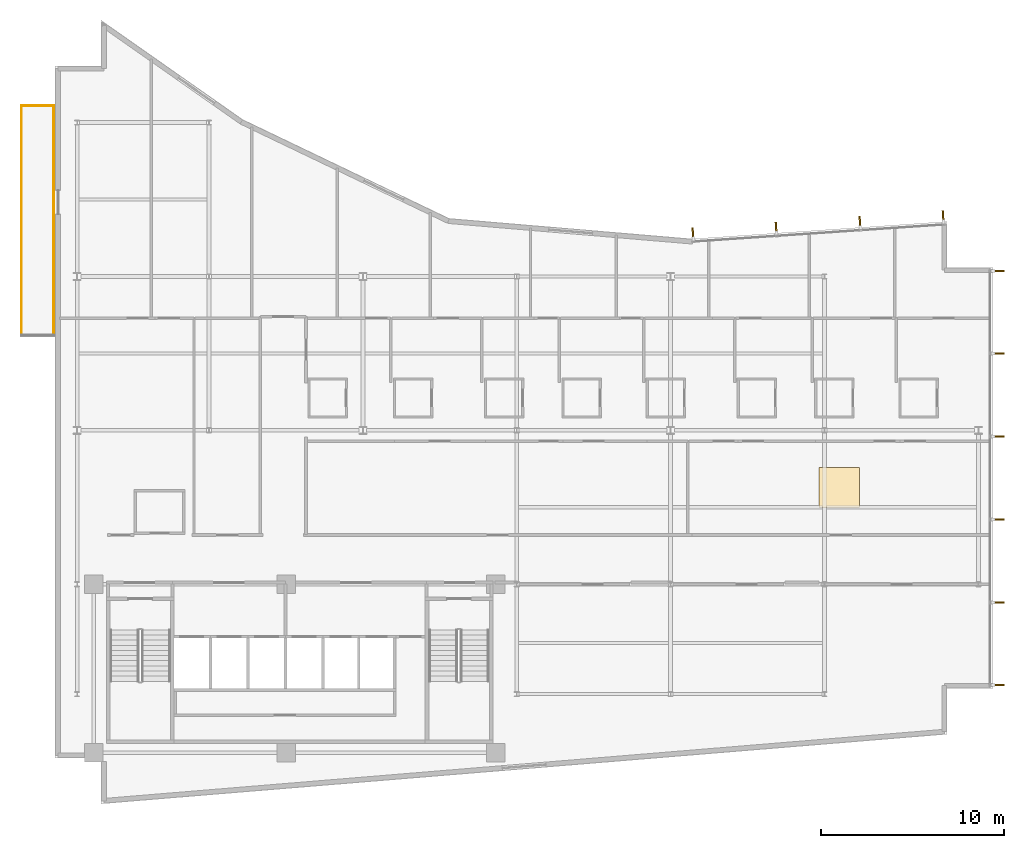
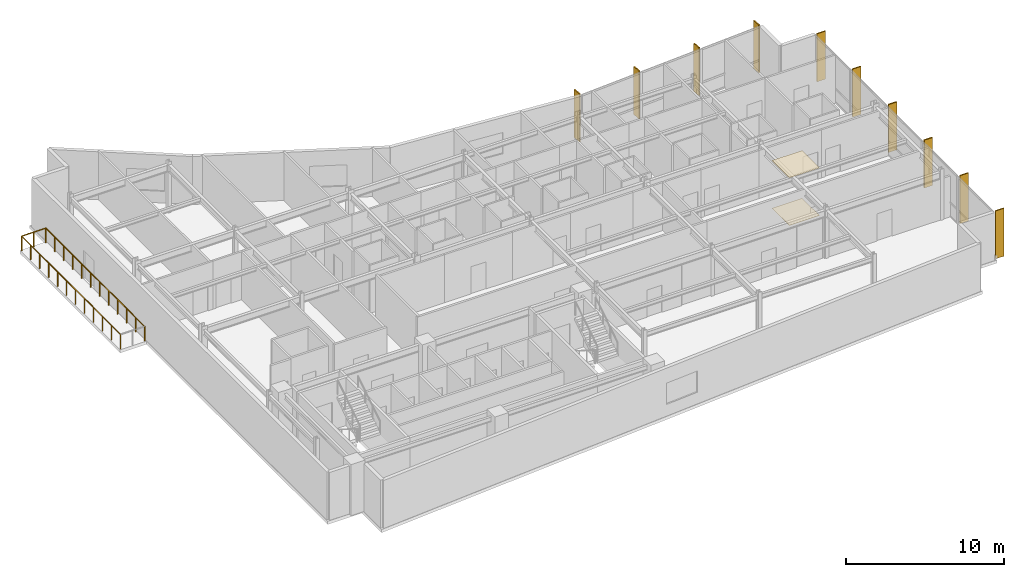
# One storey, part 15 of 16: 10 shading devices, 3 railings, 2 coverings.
"""IFC4 building model written with IfcOpenShell, lengths in metres."""

from ifc_helpers import new_model, si_unit, direction, frame, origin, origin_2d, place, context, subcontext, project, spatial, rectangle, circle, extrude, material, layer, layer_set, type_object, element, save


model = new_model("IFC4")

# Units and contexts
model_context = context("Model", 3, precision=1e-05, world=origin(), true_north=direction((0.0, 1.0)))
body_context = subcontext(model_context, "Body", "Model", "MODEL_VIEW")
ifc_project = project(units=[si_unit("LENGTHUNIT", "METRE"), si_unit("AREAUNIT", "SQUARE_METRE"), si_unit("VOLUMEUNIT", "CUBIC_METRE"), si_unit("PLANEANGLEUNIT", "RADIAN"), si_unit("MASSUNIT", "GRAM", prefix="KILO")], contexts=[model_context])

# Site, building, storey
site_placement = place(None, origin())
site = spatial("IfcSite", under=ifc_project, at=site_placement, CompositionType="ELEMENT")
building_placement = place(site_placement, origin())
building = spatial("IfcBuilding", under=site, at=building_placement, Name="Varnakote Quay Hospital", CompositionType="ELEMENT")
storey_placement = place(building_placement, frame((0.0, 0.0, 223.699951171875)))
storey = spatial("IfcBuildingStorey", under=building, at=storey_placement, Name="L55", CompositionType="ELEMENT", Elevation=223.699951171875)

# Coverings
ifc_material_1 = material(Name="Antimicrobial acoustic mineral ceiling tile", Category="gypsum")
ifc_layer_1 = layer(ifc_material_1, 0.02490234375)
ifc_layer_set_1 = layer_set([ifc_layer_1], Name="Antimicrobial acoustic mineral ceiling tile")
covering_type_1 = type_object("IfcCoveringType", Name="COV-CLIN-CEIL-25", PredefinedType="CEILING", material=ifc_layer_set_1)
covering_1_placement = place(storey_placement, frame((42.81005859375, 17.280029296875, 3.68505859375), z_axis=(0.0, 0.0, 1.0), x_axis=(1.0, 0.0, 0.0)))
element("IfcCovering", 1, at=covering_1_placement, inside=storey, type_object=covering_type_1, Name="L55 Antimicrobial Acoustic Ceiling Tile", PredefinedType="CEILING", context=body_context, shape_type="SweptSolid", body=[
    extrude(rectangle(XDim=2.199951171875, YDim=2.199951171875, at=origin_2d()), origin(), (0.0, 0.0, 1.0), 0.02490234375),
])
ifc_material_2 = material(Name="Seamless clinical sheet vinyl flooring")
ifc_layer_2 = layer(ifc_material_2, 0.011962890625)
ifc_layer_set_2 = layer_set([ifc_layer_2], Name="Seamless clinical sheet vinyl flooring")
covering_type_2 = type_object("IfcCoveringType", Name="COV-CLIN-VINYL-12", PredefinedType="FLOORING", material=ifc_layer_set_2)
covering_2_placement = place(storey_placement, frame((42.81005859375, 17.280029296875, 0.0), z_axis=(0.0, 0.0, 1.0), x_axis=(1.0, 0.0, 0.0)))
element("IfcCovering", 2, at=covering_2_placement, inside=storey, type_object=covering_type_2, Name="L55 Seamless Clinical Vinyl Flooring", PredefinedType="FLOORING", context=body_context, shape_type="SweptSolid", body=[
    extrude(rectangle(XDim=2.199951171875, YDim=2.199951171875, at=origin_2d()), origin(), (0.0, 0.0, 1.0), 0.011962890625),
])

# Railings
ifc_material_3 = material(Name="Anodised aluminium 6063-T6 Bronze", Category="aluminium")
railing_type = type_object("IfcRailingType", Name="RLG-EXT-GUARD-1150", PredefinedType="GUARDRAIL", material=ifc_material_3)
railing_1_placement = place(storey_placement, frame((-1.840087890625, 25.580078125, 0.0)))
element("IfcRailing", 3, at=railing_1_placement, inside=storey, type_object=railing_type, Name="L55 Zigzag Prow Healing Terrace Safety Guard", PredefinedType="GUARDRAIL", context=body_context, shape_type="SweptSolid", body=[
    extrude(circle(Radius=0.02392578125, at=origin_2d()), frame((0.0, 0.0, 1.1259765625), z_axis=(0.0, 1.0, 0.0), x_axis=(-1.0, 0.0, 0.0)), (0.0, 0.0, 1.0), 12.5400390625),
    extrude(circle(Radius=0.02099609375, at=origin_2d()), origin(), (0.0, 0.0, 1.0), 1.101806640625),
    extrude(circle(Radius=0.02099609375, at=origin_2d()), frame((0.0, 1.139892578125, 0.0)), (0.0, 0.0, 1.0), 1.101806640625),
    extrude(circle(Radius=0.02099609375, at=origin_2d()), frame((0.0, 2.280029296875, 0.0)), (0.0, 0.0, 1.0), 1.101806640625),
    extrude(circle(Radius=0.02099609375, at=origin_2d()), frame((0.0, 3.419921875, 0.0)), (0.0, 0.0, 1.0), 1.101806640625),
    extrude(circle(Radius=0.02099609375, at=origin_2d()), frame((0.0, 4.56005859375, 0.0)), (0.0, 0.0, 1.0), 1.101806640625),
    extrude(circle(Radius=0.02099609375, at=origin_2d()), frame((0.0, 5.699951171875, 0.0)), (0.0, 0.0, 1.0), 1.101806640625),
    extrude(circle(Radius=0.02099609375, at=origin_2d()), frame((0.0, 6.840087890625, 0.0)), (0.0, 0.0, 1.0), 1.101806640625),
    extrude(circle(Radius=0.02099609375, at=origin_2d()), frame((0.0, 7.97998046875, 0.0)), (0.0, 0.0, 1.0), 1.101806640625),
    extrude(circle(Radius=0.02099609375, at=origin_2d()), frame((0.0, 9.1201171875, 0.0)), (0.0, 0.0, 1.0), 1.101806640625),
    extrude(circle(Radius=0.02099609375, at=origin_2d()), frame((0.0, 10.260009765625, 0.0)), (0.0, 0.0, 1.0), 1.101806640625),
    extrude(circle(Radius=0.02099609375, at=origin_2d()), frame((0.0, 11.400146484375, 0.0)), (0.0, 0.0, 1.0), 1.101806640625),
    extrude(circle(Radius=0.02099609375, at=origin_2d()), frame((0.0, 12.5400390625, 0.0)), (0.0, 0.0, 1.0), 1.101806640625),
])
railing_2_placement = place(storey_placement, frame((-1.840087890625, 38.1201171875, 0.0)))
element("IfcRailing", 4, at=railing_2_placement, inside=storey, type_object=railing_type, Name="L55 Zigzag Prow Healing Terrace Safety Guard", PredefinedType="GUARDRAIL", context=body_context, shape_type="SweptSolid", body=[
    extrude(circle(Radius=0.02392578125, at=origin_2d()), frame((0.0, 0.0, 1.1259765625), z_axis=(1.0, 0.0, 0.0), x_axis=(0.0, 1.0, 0.0)), (0.0, 0.0, 1.0), 1.76416015625),
    extrude(circle(Radius=0.02099609375, at=origin_2d()), origin(), (0.0, 0.0, 1.0), 1.101806640625),
    extrude(circle(Radius=0.02099609375, at=origin_2d()), frame((0.882080078125, 0.0, 0.0)), (0.0, 0.0, 1.0), 1.101806640625),
    extrude(circle(Radius=0.02099609375, at=origin_2d()), frame((1.76416015625, 0.0, 0.0)), (0.0, 0.0, 1.0), 1.101806640625),
])
railing_3_placement = place(storey_placement, frame((-0.075927734375, 38.1201171875, 0.0)))
element("IfcRailing", 5, at=railing_3_placement, inside=storey, type_object=railing_type, Name="L55 Zigzag Prow Healing Terrace Safety Guard", PredefinedType="GUARDRAIL", context=body_context, shape_type="SweptSolid", body=[
    extrude(circle(Radius=0.02392578125, at=origin_2d()), frame((0.0, 0.0, 1.1259765625), z_axis=(0.0, -1.0, 0.0), x_axis=(1.0, 0.0, 0.0)), (0.0, 0.0, 1.0), 12.5400390625),
    extrude(circle(Radius=0.02099609375, at=origin_2d()), origin(), (0.0, 0.0, 1.0), 1.101806640625),
    extrude(circle(Radius=0.02099609375, at=origin_2d()), frame((0.0, -1.139892578125, 0.0)), (0.0, 0.0, 1.0), 1.101806640625),
    extrude(circle(Radius=0.02099609375, at=origin_2d()), frame((0.0, -2.280029296875, 0.0)), (0.0, 0.0, 1.0), 1.101806640625),
    extrude(circle(Radius=0.02099609375, at=origin_2d()), frame((0.0, -3.419921875, 0.0)), (0.0, 0.0, 1.0), 1.101806640625),
    extrude(circle(Radius=0.02099609375, at=origin_2d()), frame((0.0, -4.56005859375, 0.0)), (0.0, 0.0, 1.0), 1.101806640625),
    extrude(circle(Radius=0.02099609375, at=origin_2d()), frame((0.0, -5.699951171875, 0.0)), (0.0, 0.0, 1.0), 1.101806640625),
    extrude(circle(Radius=0.02099609375, at=origin_2d()), frame((0.0, -6.840087890625, 0.0)), (0.0, 0.0, 1.0), 1.101806640625),
    extrude(circle(Radius=0.02099609375, at=origin_2d()), frame((0.0, -7.97998046875, 0.0)), (0.0, 0.0, 1.0), 1.101806640625),
    extrude(circle(Radius=0.02099609375, at=origin_2d()), frame((0.0, -9.1201171875, 0.0)), (0.0, 0.0, 1.0), 1.101806640625),
    extrude(circle(Radius=0.02099609375, at=origin_2d()), frame((0.0, -10.260009765625, 0.0)), (0.0, 0.0, 1.0), 1.101806640625),
    extrude(circle(Radius=0.02099609375, at=origin_2d()), frame((0.0, -11.400146484375, 0.0)), (0.0, 0.0, 1.0), 1.101806640625),
    extrude(circle(Radius=0.02099609375, at=origin_2d()), frame((0.0, -12.5400390625, 0.0)), (0.0, 0.0, 1.0), 1.101806640625),
])

# Shading devices
ifc_material_4 = material(Name="Anodised aluminium 6063-T6 Bronze", Category="aluminium")
ifc_layer_3 = layer(ifc_material_4, 0.0849609375)
ifc_layer_set_3 = layer_set([ifc_layer_3], Name="Anodised aluminium 6063-T6 Bronze")
shading_device_type = type_object("IfcShadingDeviceType", Name="SHD-BRONZE-FIN-620", PredefinedType="USERDEFINED", material=ifc_layer_set_3)
for number, where, z_axis, x_axis, name in (
    (6, (51.489990234375, 6.492431640625, 0.0), (0.0, 0.0, 1.0), (-1.0, 0.0, 0.0), "L55 Anodised Bronze Vertical Shading FIN"),
    (7, (51.489990234375, 10.99609375, 0.0), (0.0, 0.0, 1.0), (-1.0, 0.0, 0.0), "L55 Anodised Bronze Vertical Shading FIN"),
    (8, (51.489990234375, 15.531982421875, 0.0), (0.0, 0.0, 1.0), (-1.0, 0.0, 0.0), "L55 Anodised Bronze Vertical Shading FIN"),
    (9, (51.489990234375, 20.068115234375, 0.0), (0.0, 0.0, 1.0), (-1.0, 0.0, 0.0), "L55 Anodised Bronze Vertical Shading FIN"),
    (10, (51.489990234375, 24.60400390625, 0.0), (0.0, 0.0, 1.0), (-1.0, 0.0, 0.0), "L55 Anodised Bronze Vertical Shading FIN"),
    (11, (51.489990234375, 29.107421875, 0.0), (0.0, 0.0, 1.0), (-1.0, 0.0, 0.0), "L55 Anodised Bronze Vertical Shading FIN"),
    (12, (48.47705078125, 32.07568359375, 0.0), (0.0, 0.0, 1.0), (0.067841160875, -0.997696134548, 0.0), "L55 Anodised Bronze Vertical Shading FIN"),
    (13, (43.934326171875, 31.7666015625, 0.0), (0.0, 0.0, 1.0), (0.067841160875, -0.997696134548, 0.0), "L55 Anodised Bronze Vertical Shading FIN"),
    (14, (39.359375, 31.45556640625, 0.0), (0.0, 0.0, 1.0), (0.067841160875, -0.997696134548, 0.0), "L55 Anodised Bronze Vertical Shading FIN"),
    (15, (34.816650390625, 31.146728515625, 0.0), (0.0, 0.0, 1.0), (0.067841160875, -0.997696134548, 0.0), "L55 Anodised Bronze Vertical Shading FIN"),
):
    element("IfcShadingDevice", number, at=place(storey_placement, frame(where, z_axis=z_axis, x_axis=x_axis)), inside=storey, type_object=shading_device_type, Name=name, ObjectType="FIN", PredefinedType="USERDEFINED", context=body_context, shape_type="SweptSolid", body=[
        extrude(rectangle(XDim=0.6201171875, YDim=0.0849609375, at=origin_2d()), origin(), (0.0, 0.0, 1.0), 3.7099609375),
    ])

save(model, "model.ifc")
